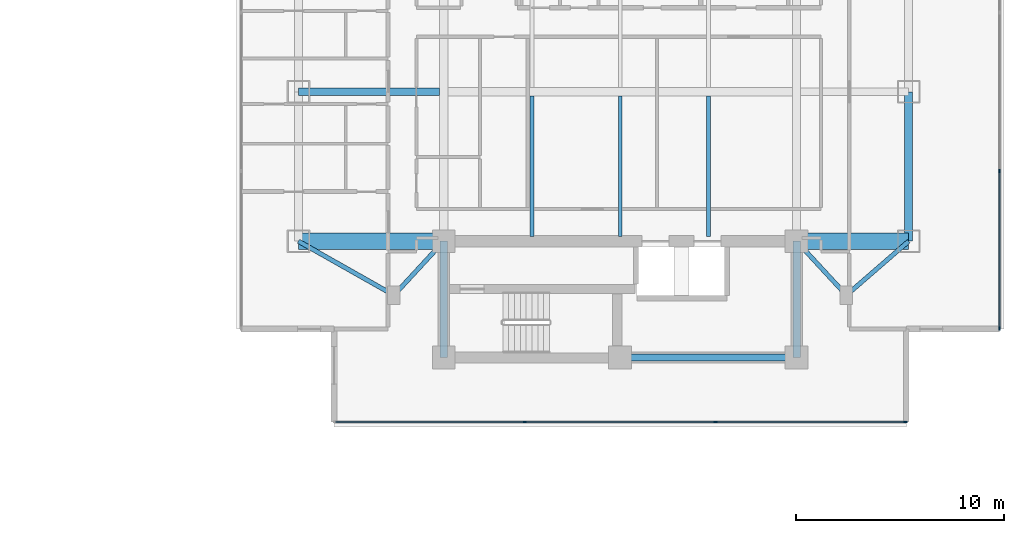
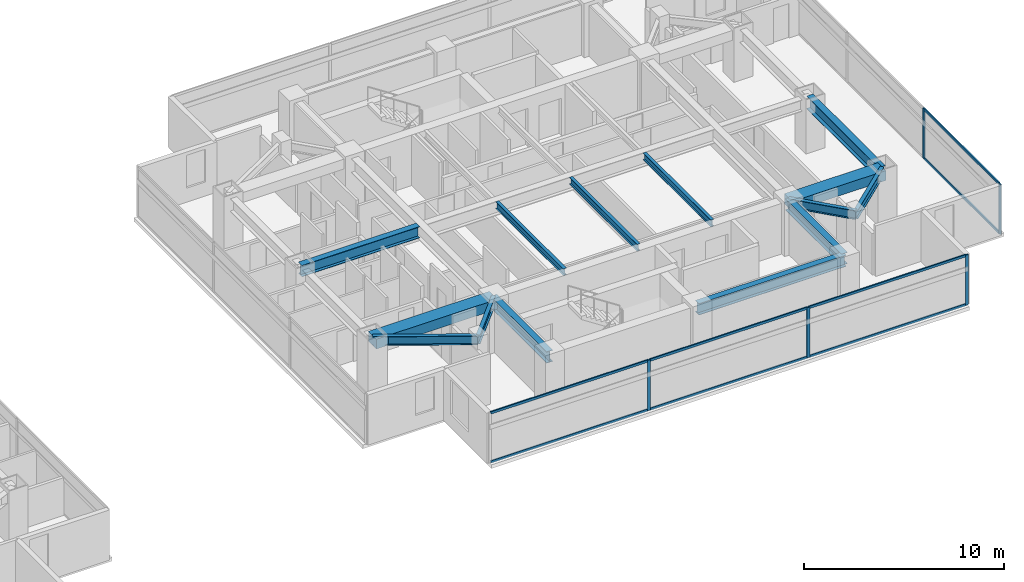
# One storey, part 8 of 24: 14 beams, 13 members, 2 elements without a shape of their own.
"""IFC4 building model written with IfcOpenShell, lengths in metres."""

from ifc_helpers import new_model, si_unit, direction, frame, origin, origin_2d, place, context, subcontext, project, spatial, rectangle, i_section, extrude, material, material_profile, profile_set, type_object, element, aggregate, save


model = new_model("IFC4")

# Units and contexts
model_context = context("Model", 3, precision=1e-05, world=origin(), true_north=direction((0.0, 1.0)))
body_context = subcontext(model_context, "Body", "Model", "MODEL_VIEW")
ifc_project = project(units=[si_unit("LENGTHUNIT", "METRE"), si_unit("AREAUNIT", "SQUARE_METRE"), si_unit("VOLUMEUNIT", "CUBIC_METRE"), si_unit("PLANEANGLEUNIT", "RADIAN"), si_unit("MASSUNIT", "GRAM", prefix="KILO")], contexts=[model_context])

# Site, building, storey
site_placement = place(None, origin())
site = spatial("IfcSite", under=ifc_project, at=site_placement, CompositionType="ELEMENT")
building_placement = place(site_placement, origin())
building = spatial("IfcBuilding", under=site, at=building_placement, Name="Mirazonda Arch Towers", CompositionType="ELEMENT")
storey_placement = place(building_placement, frame((0.0, 0.0, 137.89990234375)))
storey = spatial("IfcBuildingStorey", under=building, at=storey_placement, Name="L39", CompositionType="ELEMENT", Elevation=137.89990234375)

# Beams
ifc_material_1 = material(Name="Steel ASTM A992 Grade 50", Category="steel")
ifc_material_profile_1 = material_profile(ifc_material_1, i_section(OverallWidth=0.381103515625, OverallDepth=0.77294921875, WebThickness=0.0166015625, FlangeThickness=0.027099609375, at=origin_2d()), Name="W30X173")
ifc_profile_set_1 = profile_set([ifc_material_profile_1], Name="Steel ASTM A992 Grade 50")
beam_type_1 = type_object("IfcBeamType", Name="BM-EXT-W30X173", PredefinedType="USERDEFINED", material=ifc_profile_set_1)
beam_1_placement = place(storey_placement, frame((90.39990234375, 20.800048828125, 2.693603515625), z_axis=(0.0, 1.0, 0.0), x_axis=(-1.0, 0.0, 0.0)))
element("IfcBeam", 1, at=beam_1_placement, inside=storey, type_object=beam_type_1, Name="L39 Floor Beam BM-T2-L39-NS-E-20", ObjectType="GIRDER", PredefinedType="USERDEFINED", context=body_context, shape_type="SweptSolid", body=[
    extrude(i_section(OverallWidth=0.381103515625, OverallDepth=0.77294921875, WebThickness=0.0166015625, FlangeThickness=0.027099609375, at=origin_2d()), origin(), (0.0, 0.0, 1.0), 7.199951171875),
])
ifc_material_profile_2 = material_profile(ifc_material_1, i_section(OverallWidth=0.180908203125, OverallDepth=0.4169921875, WebThickness=0.010986328125, FlangeThickness=0.018310546875, at=origin_2d()), Name="W16X57")
ifc_profile_set_2 = profile_set([ifc_material_profile_2], Name="Steel ASTM A992 Grade 50")
beam_type_2 = type_object("IfcBeamType", Name="BM-INT-W16X57", PredefinedType="JOIST", material=ifc_profile_set_2)
for number, where, z_axis, x_axis, name in (
    (2, (72.25, 21.0400390625, 2.87158203125), (0.0, 1.0, 0.0), (-1.0, 0.0, 0.0), "L39 Floor Beam BM-T2-L39-J-722-20"),
    (3, (76.5, 21.0400390625, 2.87158203125), (0.0, 1.0, 0.0), (-1.0, 0.0, 0.0), "L39 Floor Beam BM-T2-L39-J-765-20"),
    (4, (80.75, 21.0400390625, 2.87158203125), (0.0, 1.0, 0.0), (-1.0, 0.0, 0.0), "L39 Floor Beam BM-T2-L39-J-807-20"),
):
    element("IfcBeam", number, at=place(storey_placement, frame(where, z_axis=z_axis, x_axis=x_axis)), inside=storey, type_object=beam_type_2, Name=name, PredefinedType="JOIST", context=body_context, shape_type="SweptSolid", body=[
        extrude(i_section(OverallWidth=0.180908203125, OverallDepth=0.4169921875, WebThickness=0.010986328125, FlangeThickness=0.018310546875, at=origin_2d()), origin(), (0.0, 0.0, 1.0), 6.763916015625),
    ])
ifc_material_profile_3 = material_profile(ifc_material_1, i_section(OverallWidth=0.214111328125, OverallDepth=0.549072265625, WebThickness=0.0146484375, FlangeThickness=0.023681640625, at=origin_2d()), Name="W21X93")
ifc_profile_set_3 = profile_set([ifc_material_profile_3], Name="Steel ASTM A992 Grade 50")
beam_type_3 = type_object("IfcBeamType", Name="BM-INT-W21X93", PredefinedType="BEAM", material=ifc_profile_set_3)
beam_2_placement = place(storey_placement, frame((65.60009765625, 18.199951171875, 2.8056640625), z_axis=(0.678251444854, 0.734829897019, 0.0), x_axis=(-0.734829897019, 0.678251444854, 0.0)))
element("IfcBeam", 5, at=beam_2_placement, inside=storey, type_object=beam_type_3, Name="L39 Floor Beam BM-T2-L39-PL-SW1", PredefinedType="BEAM", context=body_context, shape_type="SweptSolid", body=[
    extrude(i_section(OverallWidth=0.214111328125, OverallDepth=0.549072265625, WebThickness=0.0146484375, FlangeThickness=0.023681640625, at=origin_2d()), origin(), (0.0, 0.0, 1.0), 3.538330078125),
])
beam_3_placement = place(storey_placement, frame((65.60009765625, 18.199951171875, 2.8056640625), z_axis=(-0.870559396632, 0.492063346467, 0.0), x_axis=(-0.492063346467, -0.870559396632, 0.0)))
element("IfcBeam", 6, at=beam_3_placement, inside=storey, type_object=beam_type_3, Name="L39 Floor Beam BM-T2-L39-PL-SW2", PredefinedType="BEAM", context=body_context, shape_type="SweptSolid", body=[
    extrude(i_section(OverallWidth=0.214111328125, OverallDepth=0.549072265625, WebThickness=0.0146484375, FlangeThickness=0.023681640625, at=origin_2d()), origin(), (0.0, 0.0, 1.0), 5.2841796875),
])
beam_4_placement = place(storey_placement, frame((87.39990234375, 18.199951171875, 2.8056640625), z_axis=(-0.678251444854, 0.734829897019, 0.0), x_axis=(-0.734829897019, -0.678251444854, 0.0)))
element("IfcBeam", 7, at=beam_4_placement, inside=storey, type_object=beam_type_3, Name="L39 Floor Beam BM-T2-L39-PL-SE1", PredefinedType="BEAM", context=body_context, shape_type="SweptSolid", body=[
    extrude(i_section(OverallWidth=0.214111328125, OverallDepth=0.549072265625, WebThickness=0.0146484375, FlangeThickness=0.023681640625, at=origin_2d()), origin(), (0.0, 0.0, 1.0), 3.538330078125),
])
beam_5_placement = place(storey_placement, frame((87.39990234375, 18.199951171875, 2.8056640625), z_axis=(0.755676908098, 0.654944585876, 0.0), x_axis=(-0.654944585876, 0.755676908098, 0.0)))
element("IfcBeam", 8, at=beam_5_placement, inside=storey, type_object=beam_type_3, Name="L39 Floor Beam BM-T2-L39-PL-SE2", PredefinedType="BEAM", context=body_context, shape_type="SweptSolid", body=[
    extrude(i_section(OverallWidth=0.214111328125, OverallDepth=0.549072265625, WebThickness=0.0146484375, FlangeThickness=0.023681640625, at=origin_2d()), origin(), (0.0, 0.0, 1.0), 3.969970703125),
])
ifc_material_profile_4 = material_profile(ifc_material_1, i_section(OverallWidth=0.35498046875, OverallDepth=0.696044921875, WebThickness=0.015380859375, FlangeThickness=0.02490234375, at=origin_2d()), Name="W27X146")
ifc_profile_set_4 = profile_set([ifc_material_profile_4], Name="Steel ASTM A992 Grade 50")
beam_type_4 = type_object("IfcBeamType", Name="BM-INT-W27X146", PredefinedType="BEAM", material=ifc_profile_set_4)
beam_6_placement = place(storey_placement, frame((76.5, 15.199951171875, 2.732177734375), z_axis=(1.0, 0.0, 0.0), x_axis=(0.0, 1.0, 0.0)))
element("IfcBeam", 9, at=beam_6_placement, inside=storey, type_object=beam_type_4, Name="L39 Floor Beam BM-T2-L39-CS2", PredefinedType="BEAM", context=body_context, shape_type="SweptSolid", body=[
    extrude(i_section(OverallWidth=0.35498046875, OverallDepth=0.696044921875, WebThickness=0.015380859375, FlangeThickness=0.02490234375, at=origin_2d()), origin(), (0.0, 0.0, 1.0), 8.5),
])
for number, where, z_axis, x_axis, name in (
    (10, (68.0, 15.199951171875, 2.732177734375), (0.0, 1.0, 0.0), (-1.0, 0.0, 0.0), "L39 Floor Beam BM-T2-L39-CSW"),
    (11, (85.0, 15.199951171875, 2.732177734375), (0.0, 1.0, 0.0), (-1.0, 0.0, 0.0), "L39 Floor Beam BM-T2-L39-CSE"),
):
    element("IfcBeam", number, at=place(storey_placement, frame(where, z_axis=z_axis, x_axis=x_axis)), inside=storey, type_object=beam_type_4, Name=name, PredefinedType="BEAM", context=body_context, shape_type="SweptSolid", body=[
        extrude(i_section(OverallWidth=0.35498046875, OverallDepth=0.696044921875, WebThickness=0.015380859375, FlangeThickness=0.02490234375, at=origin_2d()), origin(), (0.0, 0.0, 1.0), 5.60009765625),
    ])
beam_7_placement = place(storey_placement, frame((61.0, 28.0, 2.732177734375), z_axis=(1.0, 0.0, 0.0), x_axis=(0.0, 1.0, 0.0)))
element("IfcBeam", 12, at=beam_7_placement, inside=storey, type_object=beam_type_4, Name="L39 Floor Beam BM-T2-L39-GW2", PredefinedType="BEAM", context=body_context, shape_type="SweptSolid", body=[
    extrude(i_section(OverallWidth=0.35498046875, OverallDepth=0.696044921875, WebThickness=0.015380859375, FlangeThickness=0.02490234375, at=origin_2d()), origin(), (0.0, 0.0, 1.0), 6.800048828125),
])
ifc_material_2 = material(Name="Concrete C60/75", Category="concrete")
ifc_material_profile_5 = material_profile(ifc_material_2, rectangle(XDim=0.800048828125, YDim=0.60009765625, at=origin_2d()), Name="RCCB800x600")
ifc_profile_set_5 = profile_set([ifc_material_profile_5], Name="Concrete C60/75")
beam_type_5 = type_object("IfcBeamType", Name="CB-INT-RCCB800x600", PredefinedType="SPANDREL", material=ifc_profile_set_5)
beam_8_placement = place(storey_placement, frame((61.0, 20.800048828125, 2.780029296875), z_axis=(1.0, 0.0, 0.0), x_axis=(0.0, 1.0, 0.0)))
element("IfcBeam", 13, at=beam_8_placement, inside=storey, type_object=beam_type_5, Name="L39 Floor Beam CBC-T2-L39-SW", PredefinedType="SPANDREL", context=body_context, shape_type="SweptSolid", body=[
    extrude(rectangle(XDim=0.800048828125, YDim=0.60009765625, at=origin_2d()), origin(), (0.0, 0.0, 1.0), 7.0),
])
beam_9_placement = place(storey_placement, frame((85.0, 20.800048828125, 2.780029296875), z_axis=(1.0, 0.0, 0.0), x_axis=(0.0, 1.0, 0.0)))
element("IfcBeam", 14, at=beam_9_placement, inside=storey, type_object=beam_type_5, Name="L39 Floor Beam CBC-T2-L39-SE", PredefinedType="SPANDREL", context=body_context, shape_type="SweptSolid", body=[
    extrude(rectangle(XDim=0.800048828125, YDim=0.60009765625, at=origin_2d()), origin(), (0.0, 0.0, 1.0), 5.39990234375),
])

# Curtain wall, members
ifc_material_3 = material(Name="Anodised Aluminium and Low-E Glass", Category="aluminium")
curtain_wall_type = type_object("IfcCurtainWallType", Name="CW-HTL-UNIT", PredefinedType="NOTDEFINED", material=ifc_material_3)
curtain_wall_1_placement = place(storey_placement, origin())
curtain_wall_1 = element("IfcCurtainWall", 15, at=curtain_wall_1_placement, inside=storey, type_object=curtain_wall_type, Name="L39 T2 S Facade CW-L39-T2-S", PredefinedType="NOTDEFINED")
ifc_material_4 = material(Name="Anodised Aluminium Alloy", Category="aluminium")
ifc_material_profile_6 = material_profile(ifc_material_4, rectangle(XDim=0.074951171875, YDim=0.1650390625, at=origin_2d()), Name="ALU-MULL-75x165")
ifc_profile_set_6 = profile_set([ifc_material_profile_6], Name="Anodised Aluminium Alloy")
member_type_1 = type_object("IfcMemberType", Name="MULL-CW-HTL-UNIT", PredefinedType="MULLION", material=ifc_profile_set_6)
member_1_placement = place(storey_placement, frame((90.2490234375, 12.081298828125, 0.0), z_axis=(0.0, 0.0, 1.0), x_axis=(0.0, -1.0, 0.0)))
member_1 = element("IfcMember", 16, at=member_1_placement, type_object=member_type_1, Name="CW-112 mullion 1", PredefinedType="MULLION", context=body_context, shape_type="SweptSolid", body=[
    extrude(rectangle(XDim=0.074951171875, YDim=0.1650390625, at=origin_2d()), origin(), (0.0, 0.0, 1.0), 3.06005859375),
])
member_2_placement = place(storey_placement, frame((81.095458984375, 12.081298828125, 0.0), z_axis=(0.0, 0.0, 1.0), x_axis=(0.0, -1.0, 0.0)))
member_2 = element("IfcMember", 17, at=member_2_placement, type_object=member_type_1, Name="CW-112 mullion 2", PredefinedType="MULLION", context=body_context, shape_type="SweptSolid", body=[
    extrude(rectangle(XDim=0.074951171875, YDim=0.1650390625, at=origin_2d()), origin(), (0.0, 0.0, 1.0), 3.06005859375),
])
member_3_placement = place(storey_placement, frame((71.904541015625, 12.081298828125, 0.0), z_axis=(0.0, 0.0, 1.0), x_axis=(0.0, -1.0, 0.0)))
member_3 = element("IfcMember", 18, at=member_3_placement, type_object=member_type_1, Name="CW-112 mullion 3", PredefinedType="MULLION", context=body_context, shape_type="SweptSolid", body=[
    extrude(rectangle(XDim=0.074951171875, YDim=0.1650390625, at=origin_2d()), origin(), (0.0, 0.0, 1.0), 3.06005859375),
])

curtain_wall_2_placement = place(storey_placement, origin())
curtain_wall_2 = element("IfcCurtainWall", 19, at=curtain_wall_2_placement, inside=storey, type_object=curtain_wall_type, Name="L39 T2 E Facade CW-L39-T2-E", PredefinedType="NOTDEFINED")
member_4_placement = place(storey_placement, frame((94.77294921875, 16.605224609375, 0.0), z_axis=(0.0, 0.0, 1.0), x_axis=(-1.0, 0.0, 0.0)))
member_4 = element("IfcMember", 20, at=member_4_placement, type_object=member_type_1, Name="CW-112 mullion 1", PredefinedType="MULLION", context=body_context, shape_type="SweptSolid", body=[
    extrude(rectangle(XDim=0.074951171875, YDim=0.1650390625, at=origin_2d()), origin(), (0.0, 0.0, 1.0), 3.06005859375),
])
member_5_placement = place(storey_placement, frame((94.77294921875, 24.189208984375, 0.0), z_axis=(0.0, 0.0, 1.0), x_axis=(-1.0, 0.0, 0.0)))
member_5 = element("IfcMember", 21, at=member_5_placement, type_object=member_type_1, Name="CW-112 mullion 2", PredefinedType="MULLION", context=body_context, shape_type="SweptSolid", body=[
    extrude(rectangle(XDim=0.074951171875, YDim=0.1650390625, at=origin_2d()), origin(), (0.0, 0.0, 1.0), 3.06005859375),
])

# Member
ifc_material_profile_7 = material_profile(ifc_material_4, rectangle(XDim=0.074951171875, YDim=0.14501953125, at=origin_2d()), Name="ALU-TRAN-75x145")
ifc_profile_set_7 = profile_set([ifc_material_profile_7], Name="Anodised Aluminium Alloy")
member_type_2 = type_object("IfcMemberType", Name="TRAN-CW-HTL-UNIT", PredefinedType="USERDEFINED", material=ifc_profile_set_7)
member_6_placement = place(storey_placement, frame((90.21142578125, 12.081298828125, 0.03759765625), z_axis=(-1.0, 0.0, 0.0), x_axis=(0.0, -1.0, 0.0)))
member_6 = element("IfcMember", 22, at=member_6_placement, type_object=member_type_2, Name="CW-112 transom 1.1", ObjectType="TRANSOM", PredefinedType="USERDEFINED", context=body_context, shape_type="SweptSolid", body=[
    extrude(rectangle(XDim=0.074951171875, YDim=0.14501953125, at=origin_2d()), origin(), (0.0, 0.0, 1.0), 9.078369140625),
])

member_7_placement = place(storey_placement, frame((90.21142578125, 12.081298828125, 3.022705078125), z_axis=(-1.0, 0.0, 0.0), x_axis=(0.0, -1.0, 0.0)))
member_7 = element("IfcMember", 23, at=member_7_placement, type_object=member_type_2, Name="CW-112 transom 1.2", ObjectType="TRANSOM", PredefinedType="USERDEFINED", context=body_context, shape_type="SweptSolid", body=[
    extrude(rectangle(XDim=0.074951171875, YDim=0.14501953125, at=origin_2d()), origin(), (0.0, 0.0, 1.0), 9.078369140625),
])

member_8_placement = place(storey_placement, frame((81.05810546875, 12.081298828125, 0.03759765625), z_axis=(-1.0, 0.0, 0.0), x_axis=(0.0, -1.0, 0.0)))
member_8 = element("IfcMember", 24, at=member_8_placement, type_object=member_type_2, Name="CW-112 transom 2.1", ObjectType="TRANSOM", PredefinedType="USERDEFINED", context=body_context, shape_type="SweptSolid", body=[
    extrude(rectangle(XDim=0.074951171875, YDim=0.14501953125, at=origin_2d()), origin(), (0.0, 0.0, 1.0), 9.1162109375),
])

member_9_placement = place(storey_placement, frame((81.05810546875, 12.081298828125, 3.022705078125), z_axis=(-1.0, 0.0, 0.0), x_axis=(0.0, -1.0, 0.0)))
member_9 = element("IfcMember", 25, at=member_9_placement, type_object=member_type_2, Name="CW-112 transom 2.2", ObjectType="TRANSOM", PredefinedType="USERDEFINED", context=body_context, shape_type="SweptSolid", body=[
    extrude(rectangle(XDim=0.074951171875, YDim=0.14501953125, at=origin_2d()), origin(), (0.0, 0.0, 1.0), 9.1162109375),
])

member_10_placement = place(storey_placement, frame((71.866943359375, 12.081298828125, 0.03759765625), z_axis=(-1.0, 0.0, 0.0), x_axis=(0.0, -1.0, 0.0)))
member_10 = element("IfcMember", 26, at=member_10_placement, type_object=member_type_2, Name="CW-112 transom 3.1", ObjectType="TRANSOM", PredefinedType="USERDEFINED", context=body_context, shape_type="SweptSolid", body=[
    extrude(rectangle(XDim=0.074951171875, YDim=0.14501953125, at=origin_2d()), origin(), (0.0, 0.0, 1.0), 9.078369140625),
])

member_11_placement = place(storey_placement, frame((71.866943359375, 12.081298828125, 3.022705078125), z_axis=(-1.0, 0.0, 0.0), x_axis=(0.0, -1.0, 0.0)))
member_11 = element("IfcMember", 27, at=member_11_placement, type_object=member_type_2, Name="CW-112 transom 3.2", ObjectType="TRANSOM", PredefinedType="USERDEFINED", context=body_context, shape_type="SweptSolid", body=[
    extrude(rectangle(XDim=0.074951171875, YDim=0.14501953125, at=origin_2d()), origin(), (0.0, 0.0, 1.0), 9.078369140625),
])

aggregate(curtain_wall_1, [member_1, member_2, member_3, member_6, member_7, member_8, member_9, member_10, member_11])

member_12_placement = place(storey_placement, frame((94.77294921875, 16.642578125, 0.03759765625), z_axis=(0.0, 1.0, 0.0), x_axis=(-1.0, 0.0, 0.0)))
member_12 = element("IfcMember", 28, at=member_12_placement, type_object=member_type_2, Name="CW-112 transom 1.1", ObjectType="TRANSOM", PredefinedType="USERDEFINED", context=body_context, shape_type="SweptSolid", body=[
    extrude(rectangle(XDim=0.074951171875, YDim=0.14501953125, at=origin_2d()), origin(), (0.0, 0.0, 1.0), 7.509033203125),
])

member_13_placement = place(storey_placement, frame((94.77294921875, 16.642578125, 3.022705078125), z_axis=(0.0, 1.0, 0.0), x_axis=(-1.0, 0.0, 0.0)))
member_13 = element("IfcMember", 29, at=member_13_placement, type_object=member_type_2, Name="CW-112 transom 1.2", ObjectType="TRANSOM", PredefinedType="USERDEFINED", context=body_context, shape_type="SweptSolid", body=[
    extrude(rectangle(XDim=0.074951171875, YDim=0.14501953125, at=origin_2d()), origin(), (0.0, 0.0, 1.0), 7.509033203125),
])

aggregate(curtain_wall_2, [member_4, member_5, member_12, member_13])

save(model, "model.ifc")
